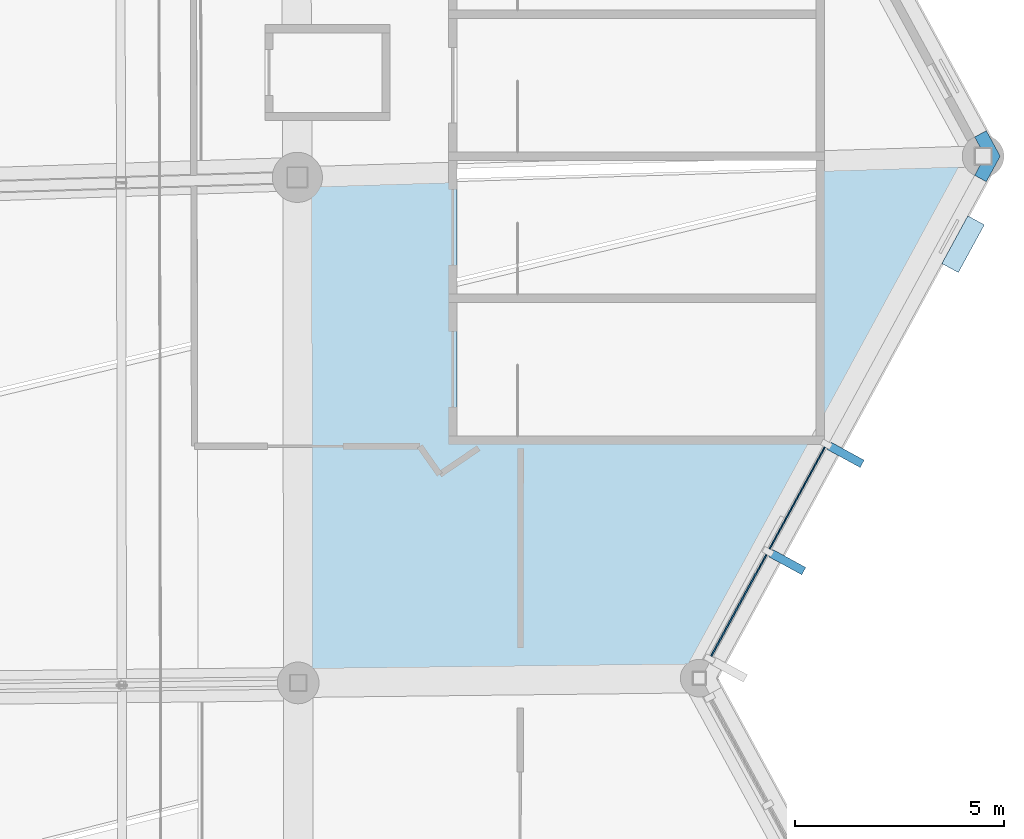
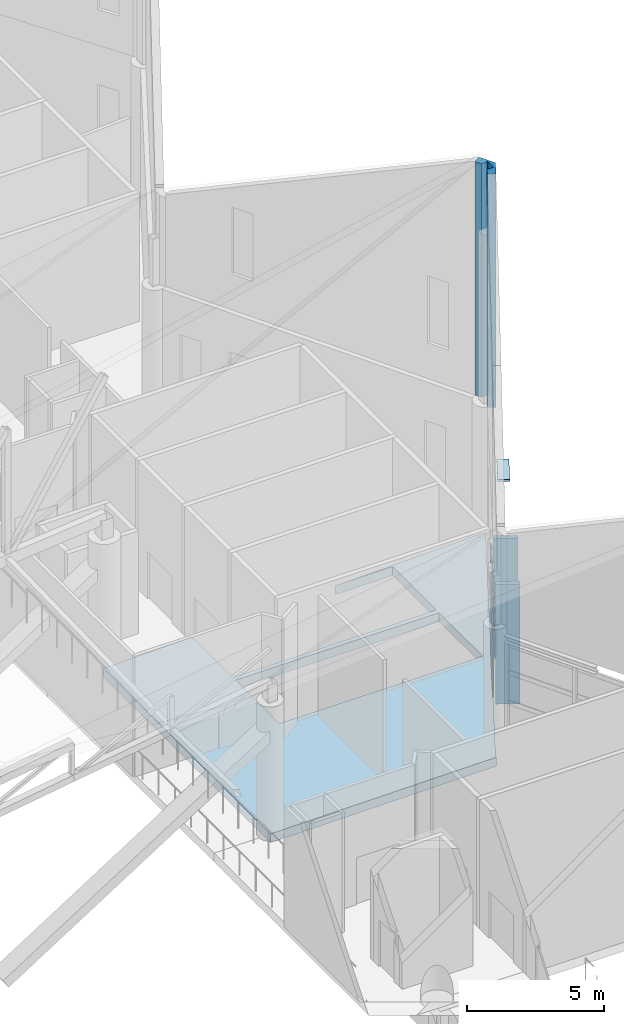
# One storey, part 234 of 344: 9 plates, 1 slab, 1 element without a shape of its own.
"""IFC4 building model written with IfcOpenShell, lengths in metres."""

from ifc_helpers import new_model, si_unit, direction, frame, origin, origin_2d, place, context, subcontext, project, spatial, polyline, rectangle, outline, extrude, material, layer, layer_set, type_object, element, aggregate, save


model = new_model("IFC4")

# Units and contexts
model_context = context("Model", 3, precision=1e-05, world=origin(), true_north=direction((0.0, 1.0)))
body_context = subcontext(model_context, "Body", "Model", "MODEL_VIEW")
ifc_project = project(units=[si_unit("LENGTHUNIT", "METRE"), si_unit("AREAUNIT", "SQUARE_METRE"), si_unit("VOLUMEUNIT", "CUBIC_METRE"), si_unit("PLANEANGLEUNIT", "RADIAN"), si_unit("MASSUNIT", "GRAM", prefix="KILO")], contexts=[model_context])

# Site, building, storey
site_placement = place(None, origin())
site = spatial("IfcSite", under=ifc_project, at=site_placement, CompositionType="ELEMENT")
building_placement = place(site_placement, origin())
building = spatial("IfcBuilding", under=site, at=building_placement, Name="Meseta Stadium", CompositionType="ELEMENT")
storey_placement = place(building_placement, frame((0.0, 0.0, 24.0)))
storey = spatial("IfcBuildingStorey", under=building, at=storey_placement, Name="L04", CompositionType="ELEMENT", Elevation=24.0)

# Plates
ifc_material_1 = material(Name="White precast concrete C40/50", Category="concrete")
ifc_layer_1 = layer(ifc_material_1, 0.199951171875)
ifc_layer_set_1 = layer_set([ifc_layer_1], Name="Brise-soleil fin 200x900")
plate_type_1 = type_object("IfcPlateType", Name="Brise-soleil fin 200x900", PredefinedType="USERDEFINED", material=ifc_layer_set_1)
for number, where, z_axis, x_axis, name in (
    (1, (96.709716796875, 9.029541015625, 0.0), (0.0, 0.0, 1.0), (0.477867090202, 0.878432151109, 0.0), "Brise-soleil fin F05.2"),
    (2, (98.107421875, 11.598876953125, 0.0), (0.0, 0.0, 1.0), (0.477867090202, 0.878432151109, 0.0), "Brise-soleil fin F05.3"),
):
    element("IfcPlate", number, at=place(storey_placement, frame(where, z_axis=z_axis, x_axis=x_axis)), inside=storey, type_object=plate_type_1, Name=name, ObjectType="FIN", PredefinedType="USERDEFINED", context=body_context, shape_type="SweptSolid", body=[
        extrude(rectangle(XDim=0.199951171875, YDim=0.89990234375, at=origin_2d()), origin(), (0.0, 0.0, 1.0), 5.35009765625),
    ])

# Curtain wall, plates
ifc_material_2 = material(Name="Steel S355", Category="steel")
ifc_layer_2 = layer(ifc_material_2, 0.300048828125)
ifc_layer_set_2 = layer_set([ifc_layer_2], Name="Valley atrium curtain wall")
curtain_wall_type = type_object("IfcCurtainWallType", Name="Valley atrium curtain wall", PredefinedType="NOTDEFINED", material=ifc_layer_set_2)
curtain_wall_placement = place(storey_placement, origin())
curtain_wall = element("IfcCurtainWall", 3, at=curtain_wall_placement, inside=storey, type_object=curtain_wall_type, Name="Valley atrium glazing F05", PredefinedType="NOTDEFINED")
ifc_material_3 = material(Name="Glass", Category="glass")
ifc_layer_3 = layer(ifc_material_3, 0.035888671875)
ifc_layer_set_3 = layer_set([ifc_layer_3], Name="CW glass panel 36")
plate_type_2 = type_object("IfcPlateType", Name="CW glass panel 36", PredefinedType="CURTAIN_PANEL", material=ifc_layer_set_3)
plate_1_placement = place(storey_placement, frame((95.5498046875, 7.995849609375, 4.112548828125), z_axis=(0.0, 0.0, 1.0), x_axis=(0.477867090218, 0.8784321511, 0.0)))
plate_1 = element("IfcPlate", 4, at=plate_1_placement, type_object=plate_type_2, Name="CWA panel 1.4", PredefinedType="CURTAIN_PANEL", context=body_context, shape_type="SweptSolid", body=[
    extrude(rectangle(XDim=2.77490234375, YDim=0.035888671875, at=origin_2d()), origin(), (0.0, 0.0, 1.0), 1.03759765625),
])
plate_2_placement = place(storey_placement, frame((96.947509765625, 10.565185546875, 0.199951171875), z_axis=(0.0, 0.0, 1.0), x_axis=(0.477867090218, 0.8784321511, 0.0)))
plate_2 = element("IfcPlate", 5, at=plate_2_placement, type_object=plate_type_2, Name="CWA panel 2.1", PredefinedType="CURTAIN_PANEL", context=body_context, shape_type="SweptSolid", body=[
    extrude(rectangle(XDim=2.77490234375, YDim=0.035888671875, at=origin_2d()), origin(), (0.0, 0.0, 1.0), 1.03759765625),
])
plate_3_placement = place(storey_placement, frame((96.947509765625, 10.565185546875, 1.4375), z_axis=(0.0, 0.0, 1.0), x_axis=(0.477867090218, 0.8784321511, 0.0)))
plate_3 = element("IfcPlate", 6, at=plate_3_placement, type_object=plate_type_2, Name="CWA panel 2.2", PredefinedType="CURTAIN_PANEL", context=body_context, shape_type="SweptSolid", body=[
    extrude(rectangle(XDim=2.77490234375, YDim=0.035888671875, at=origin_2d()), origin(), (0.0, 0.0, 1.0), 1.137451171875),
])
plate_4_placement = place(storey_placement, frame((96.947509765625, 10.565185546875, 2.77490234375), z_axis=(0.0, 0.0, 1.0), x_axis=(0.477867090218, 0.8784321511, 0.0)))
plate_4 = element("IfcPlate", 7, at=plate_4_placement, type_object=plate_type_2, Name="CWA panel 2.3", PredefinedType="CURTAIN_PANEL", context=body_context, shape_type="SweptSolid", body=[
    extrude(rectangle(XDim=2.77490234375, YDim=0.035888671875, at=origin_2d()), origin(), (0.0, 0.0, 1.0), 1.137451171875),
])
plate_5_placement = place(storey_placement, frame((96.947509765625, 10.565185546875, 4.112548828125), z_axis=(0.0, 0.0, 1.0), x_axis=(0.477867090218, 0.8784321511, 0.0)))
plate_5 = element("IfcPlate", 8, at=plate_5_placement, type_object=plate_type_2, Name="CWA panel 2.4", PredefinedType="CURTAIN_PANEL", context=body_context, shape_type="SweptSolid", body=[
    extrude(rectangle(XDim=2.77490234375, YDim=0.035888671875, at=origin_2d()), origin(), (0.0, 0.0, 1.0), 1.03759765625),
])
aggregate(curtain_wall, [plate_1, plate_2, plate_3, plate_4, plate_5])

# Slab
ifc_material_4 = material(Name="Concrete C40/50", Category="concrete")
ifc_layer_4 = layer(ifc_material_4, 0.39990234375)
ifc_layer_set_4 = layer_set([ifc_layer_4], Name="Floor slab 400")
slab_type = type_object("IfcSlabType", Name="Floor slab 400", PredefinedType="FLOOR", material=ifc_layer_set_4)
slab_placement = place(storey_placement, frame((0.0, 0.0, -0.39990234375)))
element("IfcSlab", 9, at=slab_placement, inside=storey, type_object=slab_type, Name="Floor slab L04 sector 00 panel 09", PredefinedType="FLOOR", context=body_context, shape_type="SweptSolid", body=[
    extrude(outline(polyline([(84.9970703125, 6.107421875), (94.6201171875, 6.212890625), (94.60009765625, 6.25), (101.39990234375, 18.75), (101.340087890625, 18.85986328125), (94.9599609375, 18.64990234375), (97.39990234375, 18.64990234375), (97.39990234375, 15.449951171875), (88.800048828125, 15.449951171875), (88.800048828125, 18.447509765625), (84.978515625, 18.32177734375), (84.9970703125, 6.107421875)]), holes=[polyline([(97.39990234375, 12.050048828125), (88.800048828125, 12.050048828125), (88.800048828125, 15.25), (97.39990234375, 15.25), (97.39990234375, 12.050048828125)])]), origin(), (0.0, 0.0, 1.0), 0.39990234375),
])

# Plates
ifc_material_5 = material(Name="White precast concrete C40/50", Category="concrete")
ifc_layer_5 = layer(ifc_material_5, 0.320068359375)
ifc_layer_set_5 = layer_set([ifc_layer_5], Name="Fold closer plate 320")
plate_type_3 = type_object("IfcPlateType", Name="Fold closer plate 320", PredefinedType="USERDEFINED", material=ifc_layer_set_5)
plate_6_placement = place(storey_placement, frame((0.0, 0.0, 6.0)))
element("IfcPlate", 10, at=plate_6_placement, inside=storey, type_object=plate_type_3, Name="Pleated fascia fold closer L04 F05", ObjectType="CLADDING", PredefinedType="USERDEFINED", context=body_context, shape_type="SweptSolid", body=[
    extrude(outline(polyline([(101.331298828125, 18.5400390625), (101.1962890625, 18.291748046875), (101.477294921875, 18.138916015625), (101.809814453125, 18.75), (101.477294921875, 19.361083984375), (101.1962890625, 19.208251953125), (101.331298828125, 18.9599609375), (101.60009765625, 18.9599609375), (101.6083984375, 18.95556640625), (101.60986328125, 18.548095703125), (101.606201171875, 18.542236328125), (101.60009765625, 18.5400390625), (101.331298828125, 18.5400390625)])), origin(), (0.0, 0.0, 1.0), 10.446044921875),
])
ifc_material_6 = material(Name="White precast concrete C40/50", Category="concrete")
ifc_layer_6 = layer(ifc_material_6, 0.080078125)
ifc_layer_set_6 = layer_set([ifc_layer_6], Name="Louvre hood 1300x450")
plate_type_4 = type_object("IfcPlateType", Name="Louvre hood 1300x450", PredefinedType="USERDEFINED", material=ifc_layer_set_6)
plate_7_placement = place(storey_placement, frame((100.919921875, 16.643310546875, 4.25), z_axis=(0.0, 0.0, 1.0), x_axis=(0.477867090202, 0.878432151109, 0.0)))
element("IfcPlate", 11, at=plate_7_placement, inside=storey, type_object=plate_type_4, Name="Louvre hood L04 F05", ObjectType="LOUVRE", PredefinedType="USERDEFINED", context=body_context, shape_type="SweptSolid", body=[
    extrude(rectangle(XDim=1.300048828125, YDim=0.449951171875, at=origin_2d()), origin(), (0.0, 0.0, 1.0), 0.080078125),
])

save(model, "model.ifc")
